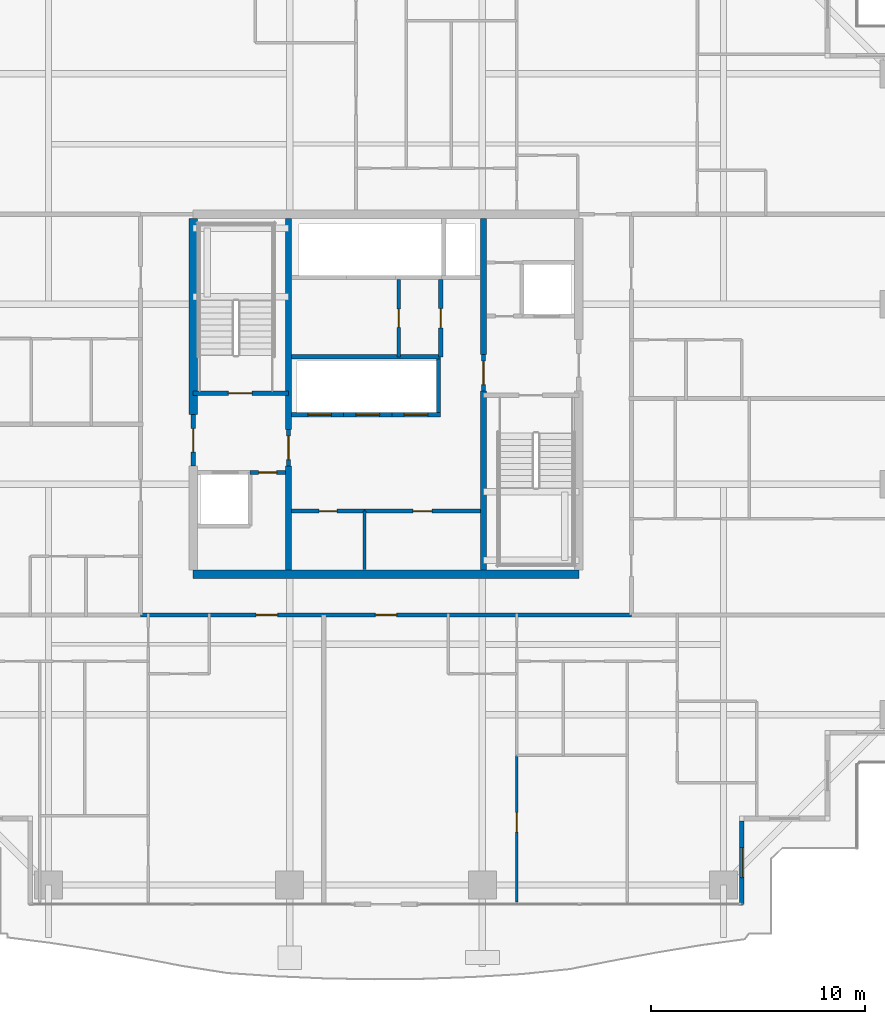
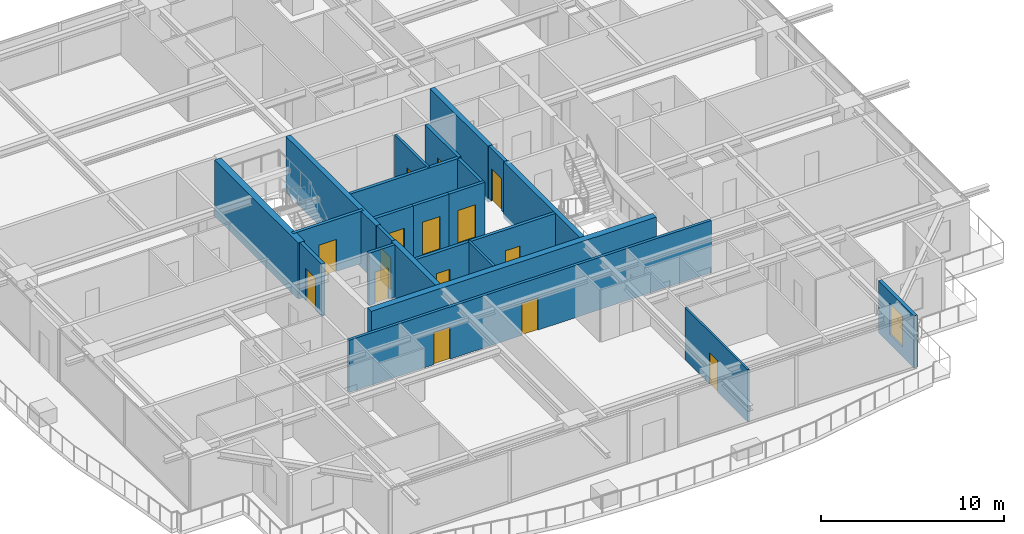
# One storey, part 25 of 34: 24 walls, 15 doors, 1 window, 16 openings.
"""IFC4 building model written with IfcOpenShell, lengths in metres."""

from ifc_helpers import new_model, si_unit, direction, frame, frame_2d, origin, place, context, subcontext, project, spatial, rectangle, extrude, source, transform, mapped, material, layer, layer_set, type_object, element, fill, save


model = new_model("IFC4")

# Units and contexts
model_context = context("Model", 3, precision=1e-05, world=origin(), true_north=direction((0.0, 1.0)))
body_context = subcontext(model_context, "Body", "Model", "MODEL_VIEW")
ifc_project = project(units=[si_unit("LENGTHUNIT", "METRE"), si_unit("AREAUNIT", "SQUARE_METRE"), si_unit("VOLUMEUNIT", "CUBIC_METRE"), si_unit("PLANEANGLEUNIT", "RADIAN"), si_unit("MASSUNIT", "GRAM", prefix="KILO")], contexts=[model_context])

# Site, building, storey
site_placement = place(None, origin())
site = spatial("IfcSite", under=ifc_project, at=site_placement, CompositionType="ELEMENT")
building_placement = place(site_placement, origin())
building = spatial("IfcBuilding", under=site, at=building_placement, Name="Serunith Strait Residences", CompositionType="ELEMENT")
storey_placement = place(building_placement, frame((0.0, 0.0, 142.64990234375)))
storey = spatial("IfcBuildingStorey", under=building, at=storey_placement, Name="L35", CompositionType="ELEMENT", Elevation=142.64990234375)

# Wall, opening, window
ifc_material_1 = material(Name="Pale-Champagne Aluminium Insulated Panel", Category="aluminium")
ifc_layer_1 = layer(ifc_material_1, 0.219970703125, Name="Pale-Champagne Aluminium Insulated Panel")
ifc_layer_set_1 = layer_set([ifc_layer_1], Name="Pale-Champagne Aluminium Insulated Panel")
wall_type_1 = type_object("IfcWallType", Name="EW-ALUM-220", PredefinedType="ELEMENTEDWALL", material=ifc_layer_set_1)
wall_1_placement = place(storey_placement, frame((49.0, 1.39990234375, 0.0), z_axis=(0.0, 0.0, 1.0), x_axis=(0.0, 1.0, 0.0)))
wall_1 = element("IfcWall", 1, at=wall_1_placement, inside=storey, type_object=wall_type_1, Name="L35 Girih Serrated Corner Wall 02", PredefinedType="ELEMENTEDWALL", context=body_context, shape_type="SweptSolid", body=[
    extrude(rectangle(XDim=3.89013671875, YDim=0.219970703125, at=frame_2d((1.945068359375, 0.0))), origin(), (0.0, 0.0, 1.0), 3.47509765625),
])
opening_1_placement = place(wall_1_placement, frame((1.2451171875, 0.0, 0.64990234375)))
opening_1 = element("IfcOpeningElement", 2, at=opening_1_placement, cuts=wall_1, Name="Opening W-03", PredefinedType="OPENING", context=body_context, shape_type="SweptSolid", body=[
    extrude(rectangle(XDim=1.39990234375, YDim=2.050048828125, at=frame_2d((0.699951171875, 1.02490234375))), frame((0.0, 0.1201171875, 0.0), z_axis=(0.0, -1.0, 0.0), x_axis=(1.0, 0.0, 0.0)), (0.0, 0.0, 1.0), 0.239990234375),
])
ifc_material_2 = material(Name="Ceramic-Fritted Operable Aluminium Window Glass", Category="aluminium")
window_type = type_object("IfcWindowType", Name="WIN-C3", PartitioningType="SINGLE_PANEL", PredefinedType="WINDOW", material=ifc_material_2)
shared_shape_1 = source(origin(), body_context, "Body", "SweptSolid", [
    extrude(rectangle(XDim=1.39990234375, YDim=2.050048828125, at=frame_2d((0.699951171875, 1.02490234375))), frame((0.0, 0.030029296875, 0.0), z_axis=(0.0, -1.0, 0.0), x_axis=(1.0, 0.0, 0.0)), (0.0, 0.0, 1.0), 0.06005859375),
])
window_placement = place(opening_1_placement, origin())
window = element("IfcWindow", 3, at=window_placement, inside=storey, type_object=window_type, Name="L35 Corner Operable Fritted Window 02", OverallHeight=2.050048828125, OverallWidth=1.39990234375, PartitioningType="SINGLE_PANEL", PredefinedType="WINDOW", context=body_context, shape_type="MappedRepresentation", body=[
    mapped(shared_shape_1, transform((0.0, 0.0, 0.0), scale=1.0)),
])
fill(opening_1, window)

# Wall, opening, door
ifc_material_3 = material(Name="Fire-rated masonry service closet wall", Category="masonry")
ifc_layer_2 = layer(ifc_material_3, 0.14990234375, Name="Fire-rated masonry service closet wall")
ifc_layer_set_2 = layer_set([ifc_layer_2], Name="Fire-rated masonry service closet wall")
wall_type_2 = type_object("IfcWallType", Name="IW-BOH-150", PredefinedType="PARTITIONING", material=ifc_layer_set_2)
wall_2_placement = place(storey_placement, frame((33.0, 26.949951171875, 0.0), z_axis=(0.0, 0.0, 1.0), x_axis=(0.0, 1.0, 0.0)))
wall_2 = element("IfcWall", 4, at=wall_2_placement, inside=storey, type_object=wall_type_2, Name="L35 Partition Wall 014", PredefinedType="PARTITIONING", context=body_context, shape_type="SweptSolid", body=[
    extrude(rectangle(XDim=3.60009765625, YDim=0.14990234375, at=frame_2d((1.800048828125, 0.0))), origin(), (0.0, 0.0, 1.0), 3.489990234375),
])
opening_2_placement = place(wall_2_placement, frame((1.375, 0.0, 0.0)))
opening_2 = element("IfcOpeningElement", 5, at=opening_2_placement, cuts=wall_2, Name="Opening FD-850", PredefinedType="OPENING", context=body_context, shape_type="SweptSolid", body=[
    extrude(rectangle(XDim=0.85009765625, YDim=2.10009765625, at=frame_2d((0.425048828125, 1.050048828125))), frame((0.0, 0.0849609375, 0.0), z_axis=(0.0, -1.0, 0.0), x_axis=(1.0, 0.0, 0.0)), (0.0, 0.0, 1.0), 0.169921875),
])
ifc_material_4 = material(Name="Powder-coated steel service closet door", Category="steel")
door_type_1 = type_object("IfcDoorType", Name="FD-BOH-850", OperationType="NOTDEFINED", PredefinedType="DOOR", material=ifc_material_4)
shared_shape_2 = source(origin(), body_context, "Body", "SweptSolid", [
    extrude(rectangle(XDim=0.85009765625, YDim=2.10009765625, at=frame_2d((0.425048828125, 1.050048828125))), frame((0.0, 0.02490234375, 0.0), z_axis=(0.0, -1.0, 0.0), x_axis=(1.0, 0.0, 0.0)), (0.0, 0.0, 1.0), 0.050048828125),
])
door_1_placement = place(opening_2_placement, origin())
door_1 = element("IfcDoor", 6, at=door_1_placement, inside=storey, type_object=door_type_1, Name="L35 LV Switchgear Door", OperationType="SINGLE_SWING_LEFT", OverallHeight=2.10009765625, OverallWidth=0.85009765625, PredefinedType="DOOR", context=body_context, shape_type="MappedRepresentation", body=[
    mapped(shared_shape_2, transform((0.0, 0.0, 0.0), scale=1.0)),
])
fill(opening_2, door_1)

# Wall
wall_3_placement = place(storey_placement, frame((31.39990234375, 17.02001953125, 0.0), z_axis=(0.0, 0.0, 1.0), x_axis=(0.0, 1.0, 0.0)))
element("IfcWall", 7, at=wall_3_placement, inside=storey, type_object=wall_type_2, Name="L35 Partition Wall 017", PredefinedType="PARTITIONING", context=body_context, shape_type="SweptSolid", body=[
    extrude(rectangle(XDim=2.72998046875, YDim=0.14990234375, at=frame_2d((1.364990234375, 0.0))), origin(), (0.0, 0.0, 1.0), 3.489990234375),
])

# Wall, openings, doors
ifc_material_5 = material(Name="Fire-rated acoustic gypsum partition")
ifc_layer_3 = layer(ifc_material_5, 0.179931640625, Name="Fire-rated acoustic gypsum partition")
ifc_layer_set_3 = layer_set([ifc_layer_3], Name="Fire-rated acoustic gypsum partition")
wall_type_3 = type_object("IfcWallType", Name="IW-CORR-180", PredefinedType="PARTITIONING", material=ifc_layer_set_3)
wall_4_placement = place(storey_placement, frame((20.951904296875, 14.89990234375, 0.0), z_axis=(0.0, 0.0, 1.0), x_axis=(1.0, 0.0, 0.0)))
wall_4 = element("IfcWall", 8, at=wall_4_placement, inside=storey, type_object=wall_type_3, Name="L35 Partition Wall 025", PredefinedType="PARTITIONING", context=body_context, shape_type="SweptSolid", body=[
    extrude(rectangle(XDim=22.89599609375, YDim=0.179931640625, at=frame_2d((11.447998046875, 0.0))), origin(), (0.0, 0.0, 1.0), 3.489990234375),
])
opening_3_placement = place(wall_4_placement, frame((5.385986328125, 0.0, 0.0)))
opening_3 = element("IfcOpeningElement", 9, at=opening_3_placement, cuts=wall_4, Name="Opening D-APT1000", PredefinedType="OPENING", context=body_context, shape_type="SweptSolid", body=[
    extrude(rectangle(XDim=1.0, YDim=2.14990234375, at=frame_2d((0.5, 1.074951171875))), frame((0.0, 0.10009765625, 0.0), z_axis=(0.0, -1.0, 0.0), x_axis=(1.0, 0.0, 0.0)), (0.0, 0.0, 1.0), 0.199951171875),
])
opening_4_placement = place(wall_4_placement, frame((10.947998046875, 0.0, 0.0)))
opening_4 = element("IfcOpeningElement", 10, at=opening_4_placement, cuts=wall_4, Name="Opening D-APT1000", PredefinedType="OPENING", context=body_context, shape_type="SweptSolid", body=[
    extrude(rectangle(XDim=1.0, YDim=2.14990234375, at=frame_2d((0.5, 1.074951171875))), frame((0.0, 0.10009765625, 0.0), z_axis=(0.0, -1.0, 0.0), x_axis=(1.0, 0.0, 0.0)), (0.0, 0.0, 1.0), 0.199951171875),
])
ifc_material_6 = material(Name="Solid timber engineered fire door", Category="wood")
door_type_2 = type_object("IfcDoorType", Name="ID-APT-1000", OperationType="NOTDEFINED", PredefinedType="DOOR", material=ifc_material_6)
shared_shape_3 = source(origin(), body_context, "Body", "SweptSolid", [
    extrude(rectangle(XDim=1.0, YDim=2.14990234375, at=frame_2d((0.5, 1.074951171875))), frame((0.0, 0.02490234375, 0.0), z_axis=(0.0, -1.0, 0.0), x_axis=(1.0, 0.0, 0.0)), (0.0, 0.0, 1.0), 0.050048828125),
])
door_2_placement = place(opening_3_placement, origin())
door_2 = element("IfcDoor", 11, at=door_2_placement, inside=storey, type_object=door_type_2, Name="L35 Unit 01 Entrance Door", OperationType="SINGLE_SWING_RIGHT", OverallHeight=2.14990234375, OverallWidth=1.0, PredefinedType="DOOR", context=body_context, shape_type="MappedRepresentation", body=[
    mapped(shared_shape_3, transform((0.0, 0.0, 0.0), scale=1.0)),
])
fill(opening_3, door_2)
door_3_placement = place(opening_4_placement, origin())
door_3 = element("IfcDoor", 12, at=door_3_placement, inside=storey, type_object=door_type_2, Name="L35 Unit 02 Entrance Door", OperationType="SINGLE_SWING_LEFT", OverallHeight=2.14990234375, OverallWidth=1.0, PredefinedType="DOOR", context=body_context, shape_type="MappedRepresentation", body=[
    mapped(shared_shape_3, transform((0.0, 0.0, 0.0), scale=1.0)),
])
fill(opening_4, door_3)

# Wall, opening, door
ifc_material_7 = material(Name="Lightweight steel-stud gypsum partition", Category="steel")
ifc_layer_4 = layer(ifc_material_7, 0.1201171875, Name="Lightweight steel-stud gypsum partition")
ifc_layer_set_4 = layer_set([ifc_layer_4], Name="Lightweight steel-stud gypsum partition")
wall_type_4 = type_object("IfcWallType", Name="IW-PART-120", PredefinedType="PARTITIONING", material=ifc_layer_set_4)
wall_5_placement = place(storey_placement, frame((38.5, 1.4951171875, 0.0), z_axis=(0.0, 0.0, 1.0), x_axis=(0.0, 1.0, 0.0)))
wall_5 = element("IfcWall", 13, at=wall_5_placement, inside=storey, type_object=wall_type_4, Name="L35 Partition Wall 049", PredefinedType="PARTITIONING", context=body_context, shape_type="SweptSolid", body=[
    extrude(rectangle(XDim=6.85791015625, YDim=0.1201171875, at=frame_2d((3.428955078125, 0.0))), origin(), (0.0, 0.0, 1.0), 3.489990234375),
])
opening_5_placement = place(wall_5_placement, frame((3.277099609375, 0.0, 0.0)))
opening_5 = element("IfcOpeningElement", 14, at=opening_5_placement, cuts=wall_5, Name="Opening D-RM900", PredefinedType="OPENING", context=body_context, shape_type="SweptSolid", body=[
    extrude(rectangle(XDim=0.89990234375, YDim=2.10009765625, at=frame_2d((0.449951171875, 1.050048828125))), frame((0.0, 0.070068359375, 0.0), z_axis=(0.0, -1.0, 0.0), x_axis=(1.0, 0.0, 0.0)), (0.0, 0.0, 1.0), 0.14013671875),
])
ifc_material_8 = material(Name="Engineered timber flush bedroom door", Category="wood")
door_type_3 = type_object("IfcDoorType", Name="ID-ROOM-900", OperationType="NOTDEFINED", PredefinedType="DOOR", material=ifc_material_8)
shared_shape_4 = source(origin(), body_context, "Body", "SweptSolid", [
    extrude(rectangle(XDim=0.89990234375, YDim=2.10009765625, at=frame_2d((0.449951171875, 1.050048828125))), frame((0.0, 0.02490234375, 0.0), z_axis=(0.0, -1.0, 0.0), x_axis=(1.0, 0.0, 0.0)), (0.0, 0.0, 1.0), 0.050048828125),
])
door_4_placement = place(opening_5_placement, origin())
door_4 = element("IfcDoor", 15, at=door_4_placement, inside=storey, type_object=door_type_3, Name="L35 Formal Dining Room 1 3502 Door", OperationType="SINGLE_SWING_LEFT", OverallHeight=2.10009765625, OverallWidth=0.89990234375, PredefinedType="DOOR", context=body_context, shape_type="MappedRepresentation", body=[
    mapped(shared_shape_4, transform((0.0, 0.0, 0.0), scale=1.0)),
])
fill(opening_5, door_4)

ifc_material_9 = material(Name="Autoclaved aerated concrete blockwork", Category="masonry")
ifc_layer_5 = layer(ifc_material_9, 0.199951171875, Name="Autoclaved aerated concrete blockwork")
ifc_layer_set_5 = layer_set([ifc_layer_5], Name="Autoclaved aerated concrete blockwork")
wall_type_5 = type_object("IfcWallType", Name="IW-SHAFT-200", PredefinedType="STANDARD", material=ifc_layer_set_5)
wall_6_placement = place(storey_placement, frame((23.39990234375, 25.25, 0.0), z_axis=(0.0, 0.0, 1.0), x_axis=(1.0, 0.0, 0.0)))
wall_6 = element("IfcWall", 16, at=wall_6_placement, inside=storey, type_object=wall_type_5, Name="L35 ST-1 South Shaft Wall", PredefinedType="STANDARD", context=body_context, shape_type="SweptSolid", body=[
    extrude(rectangle(XDim=4.4501953125, YDim=0.199951171875, at=frame_2d((2.22509765625, 0.0))), origin(), (0.0, 0.0, 1.0), 3.489990234375),
])
opening_6_placement = place(wall_6_placement, frame((1.64990234375, 0.0, 0.0)))
opening_6 = element("IfcOpeningElement", 17, at=opening_6_placement, cuts=wall_6, Name="Opening FD-1100", PredefinedType="OPENING", context=body_context, shape_type="SweptSolid", body=[
    extrude(rectangle(XDim=1.10009765625, YDim=2.14990234375, at=frame_2d((0.550048828125, 1.074951171875))), frame((0.0, 0.10986328125, 0.0), z_axis=(0.0, -1.0, 0.0), x_axis=(1.0, 0.0, 0.0)), (0.0, 0.0, 1.0), 0.219970703125),
])
ifc_material_10 = material(Name="Galvanised steel fire door leaf", Category="steel")
door_type_4 = type_object("IfcDoorType", Name="FD-STAIR-1100", OperationType="NOTDEFINED", PredefinedType="DOOR", material=ifc_material_10)
shared_shape_5 = source(origin(), body_context, "Body", "SweptSolid", [
    extrude(rectangle(XDim=1.10009765625, YDim=2.14990234375, at=frame_2d((0.550048828125, 1.074951171875))), frame((0.0, 0.02490234375, 0.0), z_axis=(0.0, -1.0, 0.0), x_axis=(1.0, 0.0, 0.0)), (0.0, 0.0, 1.0), 0.050048828125),
])
door_5_placement = place(opening_6_placement, origin())
door_5 = element("IfcDoor", 18, at=door_5_placement, inside=storey, type_object=door_type_4, Name="L35 ST-1 Escape Stair Door", OperationType="SINGLE_SWING_LEFT", OverallHeight=2.14990234375, OverallWidth=1.10009765625, PredefinedType="DOOR", context=body_context, shape_type="MappedRepresentation", body=[
    mapped(shared_shape_5, transform((0.0, 0.0, 0.0), scale=1.0)),
])
fill(opening_6, door_5)

wall_7_placement = place(storey_placement, frame((28.0, 24.25, 0.0), z_axis=(0.0, 0.0, 1.0), x_axis=(1.0, 0.0, 0.0)))
wall_7 = element("IfcWall", 19, at=wall_7_placement, inside=storey, type_object=wall_type_5, Name="L35 PL-4 South Shaft Wall", PredefinedType="STANDARD", context=body_context, shape_type="SweptSolid", body=[
    extrude(rectangle(XDim=2.425048828125, YDim=0.199951171875, at=frame_2d((1.21240234375, 0.0))), origin(), (0.0, 0.0, 1.0), 3.489990234375),
])
opening_7_placement = place(wall_7_placement, frame((0.75, 0.0, 0.0)))
opening_7 = element("IfcOpeningElement", 20, at=opening_7_placement, cuts=wall_7, Name="Opening LD-1100", PredefinedType="OPENING", context=body_context, shape_type="SweptSolid", body=[
    extrude(rectangle(XDim=1.10009765625, YDim=2.199951171875, at=frame_2d((0.550048828125, 1.10009765625))), frame((0.0, 0.10986328125, 0.0), z_axis=(0.0, -1.0, 0.0), x_axis=(1.0, 0.0, 0.0)), (0.0, 0.0, 1.0), 0.219970703125),
])
ifc_material_11 = material(Name="Pale-champagne stainless landing door")
door_type_5 = type_object("IfcDoorType", Name="LD-LIFT-1100", OperationType="DOUBLE_DOOR_SLIDING", PredefinedType="DOOR", material=ifc_material_11)
shared_shape_6 = source(origin(), body_context, "Body", "SweptSolid", [
    extrude(rectangle(XDim=1.10009765625, YDim=2.199951171875, at=frame_2d((0.550048828125, 1.10009765625))), frame((0.0, 0.02490234375, 0.0), z_axis=(0.0, -1.0, 0.0), x_axis=(1.0, 0.0, 0.0)), (0.0, 0.0, 1.0), 0.050048828125),
])
door_6_placement = place(opening_7_placement, origin())
door_6 = element("IfcDoor", 21, at=door_6_placement, inside=storey, type_object=door_type_5, Name="L35 PL-4 Landing Door", OperationType="DOUBLE_DOOR_SLIDING", OverallHeight=2.199951171875, OverallWidth=1.10009765625, PredefinedType="DOOR", context=body_context, shape_type="MappedRepresentation", body=[
    mapped(shared_shape_6, transform((0.0, 0.0, 0.0), scale=1.0)),
])
fill(opening_7, door_6)

wall_8_placement = place(storey_placement, frame((30.425048828125, 24.25, 0.0), z_axis=(0.0, 0.0, 1.0), x_axis=(1.0, 0.0, 0.0)))
wall_8 = element("IfcWall", 22, at=wall_8_placement, inside=storey, type_object=wall_type_5, Name="L35 PL-5 South Shaft Wall", PredefinedType="STANDARD", context=body_context, shape_type="SweptSolid", body=[
    extrude(rectangle(XDim=2.25, YDim=0.199951171875, at=frame_2d((1.125, 0.0))), origin(), (0.0, 0.0, 1.0), 3.489990234375),
])
opening_8_placement = place(wall_8_placement, frame((0.574951171875, 0.0, 0.0)))
opening_8 = element("IfcOpeningElement", 23, at=opening_8_placement, cuts=wall_8, Name="Opening LD-1100", PredefinedType="OPENING", context=body_context, shape_type="SweptSolid", body=[
    extrude(rectangle(XDim=1.10009765625, YDim=2.199951171875, at=frame_2d((0.550048828125, 1.10009765625))), frame((0.0, 0.10986328125, 0.0), z_axis=(0.0, -1.0, 0.0), x_axis=(1.0, 0.0, 0.0)), (0.0, 0.0, 1.0), 0.219970703125),
])
door_7_placement = place(opening_8_placement, origin())
door_7 = element("IfcDoor", 24, at=door_7_placement, inside=storey, type_object=door_type_5, Name="L35 PL-5 Landing Door", OperationType="DOUBLE_DOOR_SLIDING", OverallHeight=2.199951171875, OverallWidth=1.10009765625, PredefinedType="DOOR", context=body_context, shape_type="MappedRepresentation", body=[
    mapped(shared_shape_6, transform((0.0, 0.0, 0.0), scale=1.0)),
])
fill(opening_8, door_7)

wall_9_placement = place(storey_placement, frame((32.675048828125, 24.25, 0.0), z_axis=(0.0, 0.0, 1.0), x_axis=(1.0, 0.0, 0.0)))
wall_9 = element("IfcWall", 25, at=wall_9_placement, inside=storey, type_object=wall_type_5, Name="L35 PL-6 South Shaft Wall", PredefinedType="STANDARD", context=body_context, shape_type="SweptSolid", body=[
    extrude(rectangle(XDim=2.27490234375, YDim=0.199951171875, at=frame_2d((1.137451171875, 0.0))), origin(), (0.0, 0.0, 1.0), 3.489990234375),
])
opening_9_placement = place(wall_9_placement, frame((0.574951171875, 0.0, 0.0)))
opening_9 = element("IfcOpeningElement", 26, at=opening_9_placement, cuts=wall_9, Name="Opening LD-1100", PredefinedType="OPENING", context=body_context, shape_type="SweptSolid", body=[
    extrude(rectangle(XDim=1.10009765625, YDim=2.199951171875, at=frame_2d((0.550048828125, 1.10009765625))), frame((0.0, 0.10986328125, 0.0), z_axis=(0.0, -1.0, 0.0), x_axis=(1.0, 0.0, 0.0)), (0.0, 0.0, 1.0), 0.219970703125),
])
door_8_placement = place(opening_9_placement, origin())
door_8 = element("IfcDoor", 27, at=door_8_placement, inside=storey, type_object=door_type_5, Name="L35 PL-6 Landing Door", OperationType="DOUBLE_DOOR_SLIDING", OverallHeight=2.199951171875, OverallWidth=1.10009765625, PredefinedType="DOOR", context=body_context, shape_type="MappedRepresentation", body=[
    mapped(shared_shape_6, transform((0.0, 0.0, 0.0), scale=1.0)),
])
fill(opening_9, door_8)

# Wall
wall_10_placement = place(storey_placement, frame((34.85009765625, 24.35009765625, 0.0), z_axis=(0.0, 0.0, 1.0), x_axis=(0.0, 1.0, 0.0)))
element("IfcWall", 28, at=wall_10_placement, inside=storey, type_object=wall_type_5, Name="L35 PL-6 East Shaft Wall", PredefinedType="STANDARD", context=body_context, shape_type="SweptSolid", body=[
    extrude(rectangle(XDim=2.5, YDim=0.199951171875, at=frame_2d((1.25, 0.0))), origin(), (0.0, 0.0, 1.0), 3.489990234375),
])

# Wall, opening, door
wall_11_placement = place(storey_placement, frame((26.052001953125, 21.550048828125, 0.0), z_axis=(0.0, 0.0, 1.0), x_axis=(1.0, 0.0, 0.0)))
wall_11 = element("IfcWall", 29, at=wall_11_placement, inside=storey, type_object=wall_type_5, Name="L35 Partition Wall 003", PredefinedType="STANDARD", context=body_context, shape_type="SweptSolid", body=[
    extrude(rectangle(XDim=1.64794921875, YDim=0.199951171875, at=frame_2d((0.823974609375, 0.0))), origin(), (0.0, 0.0, 1.0), 3.489990234375),
])
opening_10_placement = place(wall_11_placement, frame((0.39892578125, 0.0, 0.0)))
opening_10 = element("IfcOpeningElement", 30, at=opening_10_placement, cuts=wall_11, Name="Opening FD-850", PredefinedType="OPENING", context=body_context, shape_type="SweptSolid", body=[
    extrude(rectangle(XDim=0.85009765625, YDim=2.10009765625, at=frame_2d((0.425048828125, 1.050048828125))), frame((0.0, 0.10986328125, 0.0), z_axis=(0.0, -1.0, 0.0), x_axis=(1.0, 0.0, 0.0)), (0.0, 0.0, 1.0), 0.219970703125),
])
door_9_placement = place(opening_10_placement, origin())
door_9 = element("IfcDoor", 31, at=door_9_placement, inside=storey, type_object=door_type_1, Name="L35 South-West Core Service Door", OperationType="SINGLE_SWING_LEFT", OverallHeight=2.10009765625, OverallWidth=0.85009765625, PredefinedType="DOOR", context=body_context, shape_type="MappedRepresentation", body=[
    mapped(shared_shape_2, transform((0.0, 0.0, 0.0), scale=1.0)),
])
fill(opening_10, door_9)

wall_12_placement = place(storey_placement, frame((23.39990234375, 21.85205078125, 0.0), z_axis=(0.0, 0.0, 1.0), x_axis=(0.0, 1.0, 0.0)))
wall_12 = element("IfcWall", 32, at=wall_12_placement, inside=storey, type_object=wall_type_5, Name="L35 Partition Wall 007", PredefinedType="STANDARD", context=body_context, shape_type="SweptSolid", body=[
    extrude(rectangle(XDim=2.39599609375, YDim=0.199951171875, at=frame_2d((1.197998046875, 0.0))), origin(), (0.0, 0.0, 1.0), 3.489990234375),
])
opening_11_placement = place(wall_12_placement, frame((0.64794921875, 0.0, 0.0)))
opening_11 = element("IfcOpeningElement", 33, at=opening_11_placement, cuts=wall_12, Name="Opening FD-FFL", PredefinedType="OPENING", context=body_context, shape_type="SweptSolid", body=[
    extrude(rectangle(XDim=1.10009765625, YDim=2.14990234375, at=frame_2d((0.550048828125, 1.074951171875))), frame((0.0, 0.10986328125, 0.0), z_axis=(0.0, -1.0, 0.0), x_axis=(1.0, 0.0, 0.0)), (0.0, 0.0, 1.0), 0.219970703125),
])
ifc_material_12 = material(Name="Glazed steel smoke-lobby fire door", Category="steel")
door_type_6 = type_object("IfcDoorType", Name="FD-FFL-1100", OperationType="NOTDEFINED", PredefinedType="DOOR", material=ifc_material_12)
door_10_placement = place(opening_11_placement, origin())
door_10 = element("IfcDoor", 34, at=door_10_placement, inside=storey, type_object=door_type_6, Name="L35 FFL-1 Corridor Fire Door", OperationType="SINGLE_SWING_LEFT", OverallHeight=2.14990234375, OverallWidth=1.10009765625, PredefinedType="DOOR", context=body_context, shape_type="MappedRepresentation", body=[
    mapped(shared_shape_5, transform((0.0, 0.0, 0.0), scale=1.0)),
])
fill(opening_11, door_10)

wall_13_placement = place(storey_placement, frame((27.85009765625, 21.85205078125, 0.0), z_axis=(0.0, 0.0, 1.0), x_axis=(0.0, 1.0, 0.0)))
wall_13 = element("IfcWall", 35, at=wall_13_placement, inside=storey, type_object=wall_type_5, Name="L35 Partition Wall 009", PredefinedType="STANDARD", context=body_context, shape_type="SweptSolid", body=[
    extrude(rectangle(XDim=1.696044921875, YDim=0.199951171875, at=frame_2d((0.84814453125, 0.0))), origin(), (0.0, 0.0, 1.0), 3.489990234375),
])
opening_12_placement = place(wall_13_placement, frame((0.298095703125, 0.0, 0.0)))
opening_12 = element("IfcOpeningElement", 36, at=opening_12_placement, cuts=wall_13, Name="Opening FD-FFL", PredefinedType="OPENING", context=body_context, shape_type="SweptSolid", body=[
    extrude(rectangle(XDim=1.10009765625, YDim=2.14990234375, at=frame_2d((0.550048828125, 1.074951171875))), frame((0.0, 0.10986328125, 0.0), z_axis=(0.0, -1.0, 0.0), x_axis=(1.0, 0.0, 0.0)), (0.0, 0.0, 1.0), 0.219970703125),
])
door_11_placement = place(opening_12_placement, origin())
door_11 = element("IfcDoor", 37, at=door_11_placement, inside=storey, type_object=door_type_6, Name="L35 FFL-1 Lift Lobby Door", OperationType="SINGLE_SWING_LEFT", OverallHeight=2.14990234375, OverallWidth=1.10009765625, PredefinedType="DOOR", context=body_context, shape_type="MappedRepresentation", body=[
    mapped(shared_shape_5, transform((0.0, 0.0, 0.0), scale=1.0)),
])
fill(opening_12, door_11)

wall_14_placement = place(storey_placement, frame((36.949951171875, 25.35205078125, 0.0), z_axis=(0.0, 0.0, 1.0), x_axis=(0.0, 1.0, 0.0)))
wall_14 = element("IfcWall", 38, at=wall_14_placement, inside=storey, type_object=wall_type_5, Name="L35 Partition Wall 010", PredefinedType="STANDARD", context=body_context, shape_type="SweptSolid", body=[
    extrude(rectangle(XDim=1.696044921875, YDim=0.199951171875, at=frame_2d((0.84814453125, 0.0))), origin(), (0.0, 0.0, 1.0), 3.489990234375),
])
opening_13_placement = place(wall_14_placement, frame((0.298095703125, 0.0, 0.0)))
opening_13 = element("IfcOpeningElement", 39, at=opening_13_placement, cuts=wall_14, Name="Opening FD-FFL", PredefinedType="OPENING", context=body_context, shape_type="SweptSolid", body=[
    extrude(rectangle(XDim=1.10009765625, YDim=2.14990234375, at=frame_2d((0.550048828125, 1.074951171875))), frame((0.0, 0.10986328125, 0.0), z_axis=(0.0, -1.0, 0.0), x_axis=(1.0, 0.0, 0.0)), (0.0, 0.0, 1.0), 0.219970703125),
])
door_12_placement = place(opening_13_placement, origin())
door_12 = element("IfcDoor", 40, at=door_12_placement, inside=storey, type_object=door_type_6, Name="L35 FFL-2 Lift Lobby Door", OperationType="SINGLE_SWING_RIGHT", OverallHeight=2.14990234375, OverallWidth=1.10009765625, PredefinedType="DOOR", context=body_context, shape_type="MappedRepresentation", body=[
    mapped(shared_shape_5, transform((0.0, 0.0, 0.0), scale=1.0)),
])
fill(opening_13, door_12)

# Wall
wall_15_placement = place(storey_placement, frame((28.0, 26.949951171875, 0.0), z_axis=(0.0, 0.0, 1.0), x_axis=(1.0, 0.0, 0.0)))
element("IfcWall", 41, at=wall_15_placement, inside=storey, type_object=wall_type_5, Name="L35 Partition Wall 011", PredefinedType="STANDARD", context=body_context, shape_type="SweptSolid", body=[
    extrude(rectangle(XDim=6.949951171875, YDim=0.199951171875, at=frame_2d((3.47509765625, 0.0))), origin(), (0.0, 0.0, 1.0), 3.489990234375),
])

# Wall, opening, door
wall_16_placement = place(storey_placement, frame((34.949951171875, 26.949951171875, 0.0), z_axis=(0.0, 0.0, 1.0), x_axis=(0.0, 1.0, 0.0)))
wall_16 = element("IfcWall", 42, at=wall_16_placement, inside=storey, type_object=wall_type_5, Name="L35 Partition Wall 013", PredefinedType="STANDARD", context=body_context, shape_type="SweptSolid", body=[
    extrude(rectangle(XDim=3.60009765625, YDim=0.199951171875, at=frame_2d((1.800048828125, 0.0))), origin(), (0.0, 0.0, 1.0), 3.489990234375),
])
opening_14_placement = place(wall_16_placement, frame((1.35009765625, 0.0, 0.0)))
opening_14 = element("IfcOpeningElement", 43, at=opening_14_placement, cuts=wall_16, Name="Opening FD-900", PredefinedType="OPENING", context=body_context, shape_type="SweptSolid", body=[
    extrude(rectangle(XDim=0.89990234375, YDim=2.10009765625, at=frame_2d((0.449951171875, 1.050048828125))), frame((0.0, 0.10986328125, 0.0), z_axis=(0.0, -1.0, 0.0), x_axis=(1.0, 0.0, 0.0)), (0.0, 0.0, 1.0), 0.219970703125),
])
ifc_material_13 = material(Name="Powder-coated steel riser door", Category="steel")
door_type_7 = type_object("IfcDoorType", Name="FD-BOH-900", OperationType="NOTDEFINED", PredefinedType="DOOR", material=ifc_material_13)
door_13_placement = place(opening_14_placement, origin())
door_13 = element("IfcDoor", 44, at=door_13_placement, inside=storey, type_object=door_type_7, Name="L35 Meter Plant Door", OperationType="SINGLE_SWING_RIGHT", OverallHeight=2.10009765625, OverallWidth=0.89990234375, PredefinedType="DOOR", context=body_context, shape_type="MappedRepresentation", body=[
    mapped(shared_shape_4, transform((0.0, 0.0, 0.0), scale=1.0)),
])
fill(opening_14, door_13)

wall_17_placement = place(storey_placement, frame((28.0, 19.75, 0.0), z_axis=(0.0, 0.0, 1.0), x_axis=(1.0, 0.0, 0.0)))
wall_17 = element("IfcWall", 45, at=wall_17_placement, inside=storey, type_object=wall_type_5, Name="L35 Partition Wall 015", PredefinedType="STANDARD", context=body_context, shape_type="SweptSolid", body=[
    extrude(rectangle(XDim=3.39990234375, YDim=0.199951171875, at=frame_2d((1.699951171875, 0.0))), origin(), (0.0, 0.0, 1.0), 3.489990234375),
])
opening_15_placement = place(wall_17_placement, frame((1.27490234375, 0.0, 0.0)))
opening_15 = element("IfcOpeningElement", 46, at=opening_15_placement, cuts=wall_17, Name="Opening FD-850", PredefinedType="OPENING", context=body_context, shape_type="SweptSolid", body=[
    extrude(rectangle(XDim=0.85009765625, YDim=2.10009765625, at=frame_2d((0.425048828125, 1.050048828125))), frame((0.0, 0.10986328125, 0.0), z_axis=(0.0, -1.0, 0.0), x_axis=(1.0, 0.0, 0.0)), (0.0, 0.0, 1.0), 0.219970703125),
])
door_14_placement = place(opening_15_placement, origin())
door_14 = element("IfcDoor", 47, at=door_14_placement, inside=storey, type_object=door_type_1, Name="L35 Booster Pump Door", OperationType="SINGLE_SWING_RIGHT", OverallHeight=2.10009765625, OverallWidth=0.85009765625, PredefinedType="DOOR", context=body_context, shape_type="MappedRepresentation", body=[
    mapped(shared_shape_2, transform((0.0, 0.0, 0.0), scale=1.0)),
])
fill(opening_15, door_14)

wall_18_placement = place(storey_placement, frame((31.402099609375, 19.75, 0.0), z_axis=(0.0, 0.0, 1.0), x_axis=(1.0, 0.0, 0.0)))
wall_18 = element("IfcWall", 48, at=wall_18_placement, inside=storey, type_object=wall_type_5, Name="L35 Partition Wall 016", PredefinedType="STANDARD", context=body_context, shape_type="SweptSolid", body=[
    extrude(rectangle(XDim=5.39794921875, YDim=0.199951171875, at=frame_2d((2.698974609375, 0.0))), origin(), (0.0, 0.0, 1.0), 3.489990234375),
])
opening_16_placement = place(wall_18_placement, frame((2.2490234375, 0.0, 0.0)))
opening_16 = element("IfcOpeningElement", 49, at=opening_16_placement, cuts=wall_18, Name="Opening FD-900", PredefinedType="OPENING", context=body_context, shape_type="SweptSolid", body=[
    extrude(rectangle(XDim=0.89990234375, YDim=2.10009765625, at=frame_2d((0.449951171875, 1.050048828125))), frame((0.0, 0.10986328125, 0.0), z_axis=(0.0, -1.0, 0.0), x_axis=(1.0, 0.0, 0.0)), (0.0, 0.0, 1.0), 0.219970703125),
])
door_15_placement = place(opening_16_placement, origin())
door_15 = element("IfcDoor", 50, at=door_15_placement, inside=storey, type_object=door_type_7, Name="L35 Zone Switchroom Door", OperationType="SINGLE_SWING_LEFT", OverallHeight=2.10009765625, OverallWidth=0.89990234375, PredefinedType="DOOR", context=body_context, shape_type="MappedRepresentation", body=[
    mapped(shared_shape_4, transform((0.0, 0.0, 0.0), scale=1.0)),
])
fill(opening_16, door_15)

# Walls
ifc_material_14 = material(Name="Concrete C70/85", Category="concrete")
ifc_layer_6 = layer(ifc_material_14, 0.300048828125, Name="Concrete C70/85")
ifc_layer_set_6 = layer_set([ifc_layer_6], Name="Concrete C70/85")
wall_type_6 = type_object("IfcWallType", Name="SW-300-C70", PredefinedType="SHEAR", material=ifc_layer_set_6)
wall_19_placement = place(storey_placement, frame((27.85009765625, 17.0, -0.260009765625), z_axis=(0.0, 0.0, 1.0), x_axis=(0.0, 1.0, 0.0)))
element("IfcWall", 51, at=wall_19_placement, inside=storey, type_object=wall_type_6, Name="L35 Core Internal West Web South Pier", PredefinedType="SHEAR", context=body_context, shape_type="SweptSolid", body=[
    extrude(rectangle(XDim=4.85009765625, YDim=0.300048828125, at=frame_2d((2.425048828125, 0.0))), origin(), (0.0, 0.0, 1.0), 3.748046875),
])
wall_20_placement = place(storey_placement, frame((27.85009765625, 23.550048828125, -0.260009765625), z_axis=(0.0, 0.0, 1.0), x_axis=(0.0, 1.0, 0.0)))
element("IfcWall", 52, at=wall_20_placement, inside=storey, type_object=wall_type_6, Name="L35 Core Internal West Web North Pier", PredefinedType="SHEAR", context=body_context, shape_type="SweptSolid", body=[
    extrude(rectangle(XDim=9.849853515625, YDim=0.300048828125, at=frame_2d((4.9248046875, 0.0))), origin(), (0.0, 0.0, 1.0), 3.748046875),
])
wall_21_placement = place(storey_placement, frame((36.949951171875, 17.0, -0.260009765625), z_axis=(0.0, 0.0, 1.0), x_axis=(0.0, 1.0, 0.0)))
element("IfcWall", 53, at=wall_21_placement, inside=storey, type_object=wall_type_6, Name="L35 Core Internal East Web South Pier", PredefinedType="SHEAR", context=body_context, shape_type="SweptSolid", body=[
    extrude(rectangle(XDim=8.35009765625, YDim=0.300048828125, at=frame_2d((4.175048828125, 0.0))), origin(), (0.0, 0.0, 1.0), 3.748046875),
])
wall_22_placement = place(storey_placement, frame((36.949951171875, 27.050048828125, -0.260009765625), z_axis=(0.0, 0.0, 1.0), x_axis=(0.0, 1.0, 0.0)))
element("IfcWall", 54, at=wall_22_placement, inside=storey, type_object=wall_type_6, Name="L35 Core Internal East Web North Pier", PredefinedType="SHEAR", context=body_context, shape_type="SweptSolid", body=[
    extrude(rectangle(XDim=6.349853515625, YDim=0.300048828125, at=frame_2d((3.1748046875, 0.0))), origin(), (0.0, 0.0, 1.0), 3.748046875),
])
ifc_layer_7 = layer(ifc_material_14, 0.39990234375, Name="Concrete C70/85")
ifc_layer_set_7 = layer_set([ifc_layer_7], Name="Concrete C70/85")
wall_type_7 = type_object("IfcWallType", Name="SW-400-C70", PredefinedType="SHEAR", material=ifc_layer_set_7)
wall_23_placement = place(storey_placement, frame((23.39990234375, 16.800048828125, -0.260009765625), z_axis=(0.0, 0.0, 1.0), x_axis=(1.0, 0.0, 0.0)))
element("IfcWall", 55, at=wall_23_placement, inside=storey, type_object=wall_type_7, Name="L35 Core South Shear Wall", PredefinedType="SHEAR", context=body_context, shape_type="SweptSolid", body=[
    extrude(rectangle(XDim=18.0, YDim=0.39990234375, at=frame_2d((9.0, 0.0))), origin(), (0.0, 0.0, 1.0), 3.748046875),
])
wall_24_placement = place(storey_placement, frame((23.39990234375, 24.25, -0.260009765625), z_axis=(0.0, 0.0, 1.0), x_axis=(0.0, 1.0, 0.0)))
element("IfcWall", 56, at=wall_24_placement, inside=storey, type_object=wall_type_7, Name="L35 Core West Shear Wall North Pier", PredefinedType="SHEAR", context=body_context, shape_type="SweptSolid", body=[
    extrude(rectangle(XDim=9.14990234375, YDim=0.39990234375, at=frame_2d((4.574951171875, 0.0))), origin(), (0.0, 0.0, 1.0), 3.748046875),
])

save(model, "model.ifc")
